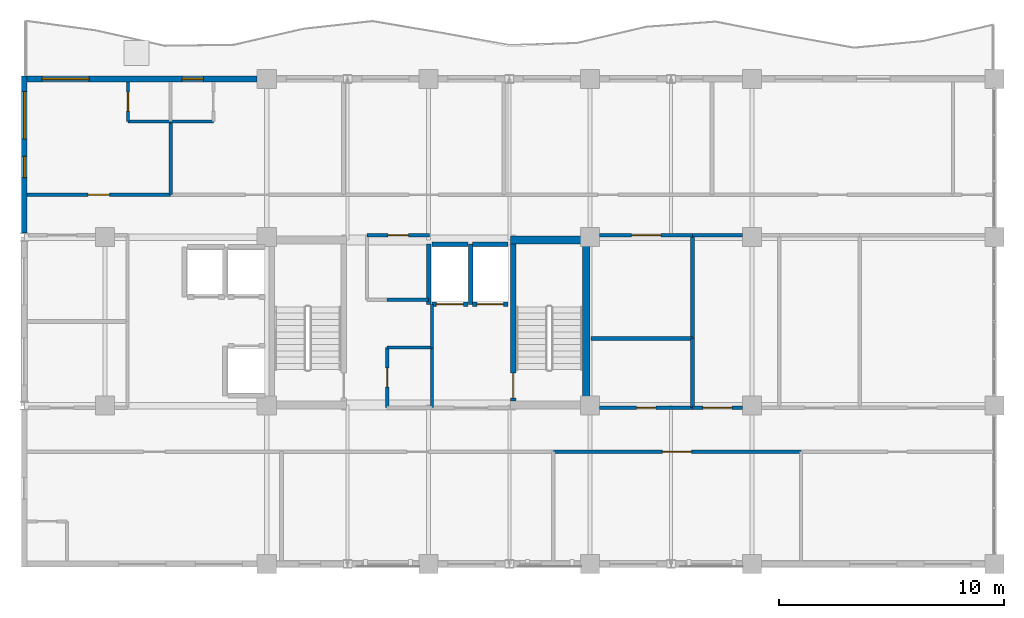
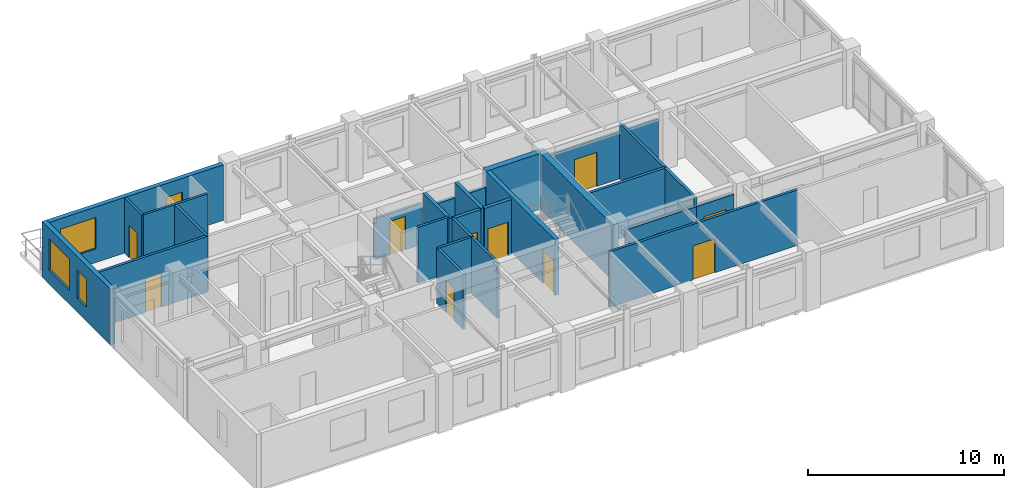
# One storey, part 7 of 11: 30 walls, 11 doors, 4 windows, 15 openings.
"""IFC4 building model written with IfcOpenShell, lengths in metres."""

import ifcopenshell
import ifcopenshell.guid

model = None  # the IFC model being written
_history = None  # IfcOwnerHistory: only IFC2X3 demands one
_inside = {}  # id of a spatial element -> (the spatial element, [elements in it])
_under = {}  # id of a project, library or spatial element -> (it, [spatial elements below it])
_declared = {}  # id of a project -> (the project, [libraries it declares])
_typed = {}  # id of a type object -> (the type object, [elements of that type])
_made_of = {}  # id of a material, layer set ... -> (it, [elements and type objects made of it])


def new_model(schema):
    """Start an empty IFC model of exactly this schema.

    Asked for "IFC4X3", IfcOpenShell would pick the latest addendum, in which some entities
    have other attributes; the version numbers below select the first issue.
    IFC2X3 requires an IfcOwnerHistory on every rooted entity: one is made here for all.
    """
    global model, _history
    if schema == "IFC4X3":
        model = ifcopenshell.file(schema_version=(4, 3, 0, 0))
    else:
        model = ifcopenshell.file(schema=schema)
    _inside.clear()
    _under.clear()
    _declared.clear()
    _typed.clear()
    _made_of.clear()
    _history = None
    if model.schema == "IFC2X3":
        org = make("IfcOrganization", Name="unknown")
        user = make(
            "IfcPersonAndOrganization",
            ThePerson=make("IfcPerson", FamilyName="unknown"),
            TheOrganization=org,
        )
        app = make(
            "IfcApplication",
            ApplicationDeveloper=org,
            Version="unknown",
            ApplicationFullName="unknown",
            ApplicationIdentifier="unknown",
        )
        _history = make(
            "IfcOwnerHistory",
            OwningUser=user,
            OwningApplication=app,
            ChangeAction="ADDED",
            CreationDate=0,
        )
    return model


def make(cls, **values):
    """One entity of the class cls with the attributes given. An attribute that is None is left unset."""
    return model.create_entity(
        cls, **{name: value for name, value in values.items() if value is not None}
    )


def rooted(cls, **values):
    """An entity with a GlobalId (a new one), such as an element, a storey or a relation."""
    return make(cls, GlobalId=ifcopenshell.guid.new(), OwnerHistory=_history, **values)


def si_unit(unit_type, name, prefix=None):
    """IfcSIUnit, for example si_unit("LENGTHUNIT", "METRE", prefix="MILLI")."""
    return make("IfcSIUnit", UnitType=unit_type, Prefix=prefix, Name=name)


def assignment(units):
    """IfcUnitAssignment: the units of a project."""
    return None if units is None else make("IfcUnitAssignment", Units=units)


def point(xyz):
    """IfcCartesianPoint."""
    return None if xyz is None else make("IfcCartesianPoint", Coordinates=xyz)


def direction(xyz):
    """IfcDirection."""
    return None if xyz is None else make("IfcDirection", DirectionRatios=xyz)


def frame(location, z_axis=None, x_axis=None):
    """IfcAxis2Placement3D, a coordinate frame: its origin and axes. An axis left out is left unset."""
    return make(
        "IfcAxis2Placement3D",
        Location=point(location),
        Axis=direction(z_axis),
        RefDirection=direction(x_axis),
    )


def frame_2d(location, x_axis=None):
    """IfcAxis2Placement2D, a coordinate frame in the plane: its origin and x axis."""
    return make(
        "IfcAxis2Placement2D", Location=point(location), RefDirection=direction(x_axis)
    )


def origin():
    """The frame at (0, 0, 0) with its axes left unset."""
    return frame((0.0, 0.0, 0.0))


def place(relative_to, where):
    """IfcLocalPlacement: puts the frame where relative to a parent placement (None: the world)."""
    return make(
        "IfcLocalPlacement", PlacementRelTo=relative_to, RelativePlacement=where
    )


def context(
    kind, dimensions, precision=None, world=None, true_north=None, identifier=None
):
    """IfcGeometricRepresentationContext, for example the 3D "Model" context."""
    return make(
        "IfcGeometricRepresentationContext",
        ContextIdentifier=identifier,
        ContextType=kind,
        CoordinateSpaceDimension=dimensions,
        Precision=precision,
        WorldCoordinateSystem=world,
        TrueNorth=true_north,
    )


def subcontext(parent, identifier, kind, view, scale=None):
    """IfcGeometricRepresentationSubContext, for example "Body" below "Model"."""
    return make(
        "IfcGeometricRepresentationSubContext",
        ContextIdentifier=identifier,
        ContextType=kind,
        ParentContext=parent,
        TargetScale=scale,
        TargetView=view,
    )


def project(units=None, contexts=None):
    """IfcProject with its units and contexts."""
    return rooted(
        "IfcProject",
        Name="project",
        RepresentationContexts=contexts,
        UnitsInContext=assignment(units),
    )


def spatial(cls, under=None, at=None, **own):
    """A site, building, storey or space (cls), placed at a placement, below another one or the project."""
    s = rooted(cls, ObjectPlacement=at, **own)
    if under is not None:
        _under.setdefault(under.id(), (under, []))[1].append(s)
    return s


def profile(cls, at=None, kind="AREA", **sizes):
    """A parametric profile (cls). Its sizes go by their IFC names, for example OverallWidth=200.0."""
    return make(cls, ProfileType=kind, Position=at, **sizes)


def rectangle(**sizes):
    """IfcRectangleProfileDef."""
    return profile("IfcRectangleProfileDef", **sizes)


def extrude(swept, where, along, depth):
    """IfcExtrudedAreaSolid: the profile swept, set in the frame where, extruded along a direction by depth."""
    return make(
        "IfcExtrudedAreaSolid",
        SweptArea=swept,
        Position=where,
        ExtrudedDirection=direction(along),
        Depth=depth,
    )


def shape(context_of_items, identifier, shape_type, items):
    """IfcShapeRepresentation: the items that make up one representation, for example the "Body"."""
    return make(
        "IfcShapeRepresentation",
        ContextOfItems=context_of_items,
        RepresentationIdentifier=identifier,
        RepresentationType=shape_type,
        Items=items,
    )


def material(Name=None, Category=None):
    """IfcMaterial."""
    return make("IfcMaterial", Name=Name, Category=Category)


def layer(
    of_material, thickness, ventilated=None, Name=None, Category=None, Priority=None
):
    """IfcMaterialLayer: one layer of a wall or slab, of a material (None: an air gap)."""
    return make(
        "IfcMaterialLayer",
        Material=of_material,
        LayerThickness=thickness,
        IsVentilated=ventilated,
        Name=Name,
        Category=Category,
        Priority=Priority,
    )


def layer_set(layers, Name=None):
    """IfcMaterialLayerSet."""
    return make("IfcMaterialLayerSet", MaterialLayers=layers, LayerSetName=Name)


def made_of(thing, what):
    """Note that an element or type object is made of a material, layer set ...; save() writes the relation."""
    if what is not None:
        _made_of.setdefault(what.id(), (what, []))[1].append(thing)
    return thing


def type_object(cls, material=None, **own):
    """A type object (cls), such as IfcWallType, which elements share."""
    return made_of(rooted(cls, **own), material)


def element(
    cls,
    number,
    at=None,
    inside=None,
    cuts=None,
    type_object=None,
    material=None,
    context=None,
    identifier="Body",
    shape_type=None,
    held_by="IfcProductDefinitionShape",
    body=None,
    shapes=None,
    **own,
):
    """One element of the class cls, such as IfcWall. Its Tag is "e" and its number.

    at: its placement. inside: the storey or other place that contains it. cuts: it is an
    opening in that element (IfcRelVoidsElement). A single representation is given by context,
    identifier, shape_type and body (its items); several are given by shapes. held_by: the class
    of the entity that holds the representations. save() writes the other relations.
    """
    e = rooted(cls, Tag="e%d" % number, ObjectPlacement=at, **own)
    if body is not None:
        shapes = [shape(context, identifier, shape_type, body)]
    if shapes is not None:
        e.Representation = make(held_by, Representations=shapes)
    if inside is not None:
        _inside.setdefault(inside.id(), (inside, []))[1].append(e)
    if cuts is not None:
        rooted(
            "IfcRelVoidsElement", RelatingBuildingElement=cuts, RelatedOpeningElement=e
        )
    if type_object is not None:
        _typed.setdefault(type_object.id(), (type_object, []))[1].append(e)
    return made_of(e, material)


def fill(opening, filler):
    """IfcRelFillsElement: the door or window that sits in an opening."""
    return rooted(
        "IfcRelFillsElement",
        RelatingOpeningElement=opening,
        RelatedBuildingElement=filler,
    )


def aggregate(whole, parts):
    """IfcRelAggregates: a whole, such as a stair, and the parts it consists of."""
    return rooted("IfcRelAggregates", RelatingObject=whole, RelatedObjects=parts)


def save(model, path):
    """Write the relations noted so far, then the file.

    IfcRelAggregates (storeys below a building ...), IfcRelContainedInSpatialStructure (elements
    in a storey), IfcRelDefinesByType, IfcRelAssociatesMaterial and IfcRelDeclares: one each for
    every whole, place, type object, material and project.
    """
    for whole, parts in _under.values():
        aggregate(whole, parts)
    for where, things in _inside.values():
        rooted(
            "IfcRelContainedInSpatialStructure",
            RelatedElements=things,
            RelatingStructure=where,
        )
    for kind, things in _typed.values():
        rooted("IfcRelDefinesByType", RelatedObjects=things, RelatingType=kind)
    for what, things in _made_of.values():
        rooted("IfcRelAssociatesMaterial", RelatedObjects=things, RelatingMaterial=what)
    for by, libraries in _declared.values():
        rooted("IfcRelDeclares", RelatingContext=by, RelatedDefinitions=libraries)
    model.write(path)


model = new_model("IFC4")

# Units and contexts
model_context = context("Model", 3, precision=1e-05, world=origin(), true_north=direction((0.0, 1.0)))
body_context = subcontext(model_context, "Body", "Model", "MODEL_VIEW")
ifc_project = project(units=[si_unit("LENGTHUNIT", "METRE"), si_unit("AREAUNIT", "SQUARE_METRE"), si_unit("VOLUMEUNIT", "CUBIC_METRE"), si_unit("PLANEANGLEUNIT", "RADIAN"), si_unit("MASSUNIT", "GRAM", prefix="KILO")], contexts=[model_context])

# Site, building, storey
site_placement = place(None, origin())
site = spatial("IfcSite", under=ifc_project, at=site_placement, CompositionType="ELEMENT")
building_placement = place(site_placement, origin())
building = spatial("IfcBuilding", under=site, at=building_placement, Name="Kaliganga Portal Commons", CompositionType="ELEMENT")
storey_placement = place(building_placement, frame((0.0, 0.0, 264.699951171875)))
storey = spatial("IfcBuildingStorey", under=building, at=storey_placement, Name="L68", CompositionType="ELEMENT", Elevation=264.699951171875)

# Walls
ifc_material_1 = material(Name="Concrete C50/60", Category="concrete")
ifc_layer_1 = layer(ifc_material_1, 0.35009765625)
ifc_layer_set_1 = layer_set([ifc_layer_1], Name="Concrete C50/60")
wall_type_1 = type_object("IfcWallType", Name="WL-CORE-350", PredefinedType="SHEAR", material=ifc_layer_set_1)
wall_1_placement = place(storey_placement, frame((28.625, 28.5, 0.0), z_axis=(0.0, 0.0, 1.0), x_axis=(0.0, 1.0, 0.0)))
element("IfcWall", 1, at=wall_1_placement, inside=storey, type_object=wall_type_1, Name="Core A East Shear Wall L68", PredefinedType="SHEAR", context=body_context, shape_type="SweptSolid", body=[
    extrude(rectangle(XDim=7.699951171875, YDim=0.35009765625, at=frame_2d((3.85009765625, 0.0))), origin(), (0.0, 0.0, 1.0), 3.47509765625),
])
wall_2_placement = place(storey_placement, frame((25.25, 36.02490234375, 0.0), z_axis=(0.0, 0.0, 1.0), x_axis=(1.0, 0.0, 0.0)))
element("IfcWall", 2, at=wall_2_placement, inside=storey, type_object=wall_type_1, Name="Core A N-East Shear Wall L68", PredefinedType="SHEAR", context=body_context, shape_type="SweptSolid", body=[
    extrude(rectangle(XDim=3.199951171875, YDim=0.35009765625, at=frame_2d((1.60009765625, 0.0))), origin(), (0.0, 0.0, 1.0), 3.47509765625),
])

# Wall, openings, windows
ifc_material_2 = material(Name="Insulated Aluminium-Clad Spandrel Assembly", Category="aluminium")
ifc_layer_2 = layer(ifc_material_2, 0.260009765625)
ifc_layer_set_2 = layer_set([ifc_layer_2], Name="Insulated Aluminium-Clad Spandrel Assembly")
wall_type_2 = type_object("IfcWallType", Name="WL-EXT-SPAND-260", PredefinedType="STANDARD", material=ifc_layer_set_2)
wall_3_placement = place(storey_placement, frame((3.735107421875, 43.199951171875, 0.0), z_axis=(0.0, 0.0, 1.0), x_axis=(1.0, 0.0, 0.0)))
wall_3 = element("IfcWall", 3, at=wall_3_placement, inside=storey, type_object=wall_type_2, Name="Exterior Envelope Wall L68 P1-E02-S8", PredefinedType="STANDARD", context=body_context, shape_type="SweptSolid", body=[
    extrude(rectangle(XDim=10.239013671875, YDim=0.260009765625, at=frame_2d((5.11962890625, 0.0))), origin(), (0.0, 0.0, 1.0), 3.455078125),
])
opening_1_placement = place(wall_3_placement, frame((0.656494140625, 0.0, 0.85009765625)))
opening_1 = element("IfcOpeningElement", 4, at=opening_1_placement, cuts=wall_3, Name="Opening W-06", PredefinedType="OPENING", context=body_context, shape_type="SweptSolid", body=[
    extrude(rectangle(XDim=2.10009765625, YDim=1.949951171875, at=frame_2d((1.050048828125, 0.97509765625))), frame((0.0, 0.14013671875, 0.0), z_axis=(0.0, -1.0, 0.0), x_axis=(1.0, 0.0, 0.0)), (0.0, 0.0, 1.0), 0.280029296875),
])
opening_2_placement = place(wall_3_placement, frame((6.897216796875, 0.0, 0.85009765625)))
opening_2 = element("IfcOpeningElement", 5, at=opening_2_placement, cuts=wall_3, Name="Opening W-04", PredefinedType="OPENING", context=body_context, shape_type="SweptSolid", body=[
    extrude(rectangle(XDim=0.949951171875, YDim=1.75, at=frame_2d((0.47509765625, 0.875))), frame((0.0, 0.14013671875, 0.0), z_axis=(0.0, -1.0, 0.0), x_axis=(1.0, 0.0, 0.0)), (0.0, 0.0, 1.0), 0.280029296875),
])
ifc_material_3 = material(Name="Thermally Broken Aluminium and Low-E Double Glazing", Category="aluminium")
window_type_1 = type_object("IfcWindowType", Name="WIN-NARROW-950", PartitioningType="SINGLE_PANEL", PredefinedType="WINDOW", material=ifc_material_3)
window_1_placement = place(opening_2_placement, origin())
window_1 = element("IfcWindow", 6, at=window_1_placement, inside=storey, type_object=window_type_1, Name="Facade Window L68-P1E02S8-N4", OverallHeight=1.75, OverallWidth=0.949951171875, PartitioningType="SINGLE_PANEL", PredefinedType="WINDOW", context=body_context, shape_type="SweptSolid", body=[
    extrude(rectangle(XDim=0.949951171875, YDim=1.75, at=frame_2d((0.47509765625, 0.875))), frame((0.0, 0.030029296875, 0.0), z_axis=(0.0, -1.0, 0.0), x_axis=(1.0, 0.0, 0.0)), (0.0, 0.0, 1.0), 0.06005859375),
])
fill(opening_2, window_1)
window_type_2 = type_object("IfcWindowType", Name="WIN-PAN-2100", PartitioningType="DOUBLE_PANEL_VERTICAL", PredefinedType="WINDOW", material=ifc_material_3)
window_2_placement = place(opening_1_placement, origin())
window_2 = element("IfcWindow", 7, at=window_2_placement, inside=storey, type_object=window_type_2, Name="Facade Window L68-P1E02S8-00", OverallHeight=1.949951171875, OverallWidth=2.10009765625, PartitioningType="SINGLE_PANEL", PredefinedType="WINDOW", context=body_context, shape_type="SweptSolid", body=[
    extrude(rectangle(XDim=2.10009765625, YDim=1.949951171875, at=frame_2d((1.050048828125, 0.97509765625))), frame((0.0, 0.030029296875, 0.0), z_axis=(0.0, -1.0, 0.0), x_axis=(1.0, 0.0, 0.0)), (0.0, 0.0, 1.0), 0.06005859375),
])
fill(opening_1, window_2)

wall_4_placement = place(storey_placement, frame((3.60009765625, 36.3369140625, 0.0), z_axis=(0.0, 0.0, 1.0), x_axis=(0.0, 1.0, 0.0)))
wall_4 = element("IfcWall", 8, at=wall_4_placement, inside=storey, type_object=wall_type_2, Name="Exterior Envelope Wall L68 P1-E03-S1", PredefinedType="STANDARD", context=body_context, shape_type="SweptSolid", body=[
    extrude(rectangle(XDim=6.9931640625, YDim=0.260009765625, at=frame_2d((3.49658203125, 0.0))), origin(), (0.0, 0.0, 1.0), 3.455078125),
])
opening_3_placement = place(wall_4_placement, frame((4.194580078125, 0.0, 0.85009765625)))
opening_3 = element("IfcOpeningElement", 9, at=opening_3_placement, cuts=wall_4, Name="Opening W-06", PredefinedType="OPENING", context=body_context, shape_type="SweptSolid", body=[
    extrude(rectangle(XDim=2.10009765625, YDim=1.949951171875, at=frame_2d((1.050048828125, 0.97509765625))), frame((0.0, 0.14013671875, 0.0), z_axis=(0.0, -1.0, 0.0), x_axis=(1.0, 0.0, 0.0)), (0.0, 0.0, 1.0), 0.280029296875),
])
opening_4_placement = place(wall_4_placement, frame((2.462158203125, 0.0, 0.85009765625)))
opening_4 = element("IfcOpeningElement", 10, at=opening_4_placement, cuts=wall_4, Name="Opening W-04", PredefinedType="OPENING", context=body_context, shape_type="SweptSolid", body=[
    extrude(rectangle(XDim=0.949951171875, YDim=1.75, at=frame_2d((0.47509765625, 0.875))), frame((0.0, 0.14013671875, 0.0), z_axis=(0.0, -1.0, 0.0), x_axis=(1.0, 0.0, 0.0)), (0.0, 0.0, 1.0), 0.280029296875),
])
window_3_placement = place(opening_4_placement, origin())
window_3 = element("IfcWindow", 11, at=window_3_placement, inside=storey, type_object=window_type_1, Name="Facade Window L68-P1E03S1-N5", OverallHeight=1.75, OverallWidth=0.949951171875, PartitioningType="SINGLE_PANEL", PredefinedType="WINDOW", context=body_context, shape_type="SweptSolid", body=[
    extrude(rectangle(XDim=0.949951171875, YDim=1.75, at=frame_2d((0.47509765625, 0.875))), frame((0.0, 0.030029296875, 0.0), z_axis=(0.0, -1.0, 0.0), x_axis=(1.0, 0.0, 0.0)), (0.0, 0.0, 1.0), 0.06005859375),
])
fill(opening_4, window_3)
window_4_placement = place(opening_3_placement, origin())
window_4 = element("IfcWindow", 12, at=window_4_placement, inside=storey, type_object=window_type_2, Name="Facade Window L68-P1E03S1-01", OverallHeight=1.949951171875, OverallWidth=2.10009765625, PartitioningType="SINGLE_PANEL", PredefinedType="WINDOW", context=body_context, shape_type="SweptSolid", body=[
    extrude(rectangle(XDim=2.10009765625, YDim=1.949951171875, at=frame_2d((1.050048828125, 0.97509765625))), frame((0.0, 0.030029296875, 0.0), z_axis=(0.0, -1.0, 0.0), x_axis=(1.0, 0.0, 0.0)), (0.0, 0.0, 1.0), 0.06005859375),
])
fill(opening_3, window_4)

# Wall, opening, door
ifc_material_4 = material(Name="Fire-Rated Gypsum Board on Steel Stud", Category="steel")
ifc_layer_3 = layer(ifc_material_4, 0.14990234375)
ifc_layer_set_3 = layer_set([ifc_layer_3], Name="Fire-Rated Gypsum Board on Steel Stud")
wall_type_3 = type_object("IfcWallType", Name="WL-PART-CORR-150", PredefinedType="PARTITIONING", material=ifc_layer_set_3)
wall_5_placement = place(storey_placement, frame((27.159912109375, 26.60009765625, 0.0), z_axis=(0.0, 0.0, 1.0), x_axis=(1.0, 0.0, 0.0)))
wall_5 = element("IfcWall", 13, at=wall_5_placement, inside=storey, type_object=wall_type_3, Name="Interior Partition L68-010", PredefinedType="PARTITIONING", context=body_context, shape_type="SweptSolid", body=[
    extrude(rectangle(XDim=11.02001953125, YDim=0.14990234375, at=frame_2d((5.510009765625, 0.0))), origin(), (0.0, 0.0, 1.0), 3.455078125),
])
opening_5_placement = place(wall_5_placement, frame((4.860107421875, 0.0, 0.0)))
opening_5 = element("IfcOpeningElement", 14, at=opening_5_placement, cuts=wall_5, Name="Opening RD-03", PredefinedType="OPENING", context=body_context, shape_type="SweptSolid", body=[
    extrude(rectangle(XDim=1.300048828125, YDim=2.1201171875, at=frame_2d((0.64990234375, 1.06005859375))), frame((0.0, 0.0849609375, 0.0), z_axis=(0.0, -1.0, 0.0), x_axis=(1.0, 0.0, 0.0)), (0.0, 0.0, 1.0), 0.169921875),
])
ifc_material_5 = material(Name="Glazed Timber Seminar Vision Door", Category="wood")
door_type_1 = type_object("IfcDoorType", Name="DR-STUDY-1300", OperationType="DOUBLE_DOOR_SINGLE_SWING", PredefinedType="DOOR", material=ifc_material_5)
door_1_placement = place(opening_5_placement, origin())
door_1 = element("IfcDoor", 15, at=door_1_placement, inside=storey, type_object=door_type_1, Name="Interior Door L68-AS03", OperationType="DOUBLE_DOOR_SINGLE_SWING", OverallHeight=2.1201171875, OverallWidth=1.300048828125, PredefinedType="DOOR", context=body_context, shape_type="SweptSolid", body=[
    extrude(rectangle(XDim=1.300048828125, YDim=2.1201171875, at=frame_2d((0.64990234375, 1.06005859375))), frame((0.0, 0.02490234375, 0.0), z_axis=(0.0, -1.0, 0.0), x_axis=(1.0, 0.0, 0.0)), (0.0, 0.0, 1.0), 0.050048828125),
])
fill(opening_5, door_1)

wall_6_placement = place(storey_placement, frame((3.73193359375, 38.0400390625, 0.0), z_axis=(0.0, 0.0, 1.0), x_axis=(1.0, 0.0, 0.0)))
wall_6 = element("IfcWall", 16, at=wall_6_placement, inside=storey, type_object=wall_type_3, Name="Interior Partition L68-016", PredefinedType="PARTITIONING", context=body_context, shape_type="SweptSolid", body=[
    extrude(rectangle(XDim=6.38818359375, YDim=0.14990234375, at=frame_2d((3.194091796875, 0.0))), origin(), (0.0, 0.0, 1.0), 3.455078125),
])
opening_6_placement = place(wall_6_placement, frame((2.718994140625, 0.0, 0.0)))
opening_6 = element("IfcOpeningElement", 17, at=opening_6_placement, cuts=wall_6, Name="Opening UD-01", PredefinedType="OPENING", context=body_context, shape_type="SweptSolid", body=[
    extrude(rectangle(XDim=0.949951171875, YDim=2.10009765625, at=frame_2d((0.47509765625, 1.050048828125))), frame((0.0, 0.0849609375, 0.0), z_axis=(0.0, -1.0, 0.0), x_axis=(1.0, 0.0, 0.0)), (0.0, 0.0, 1.0), 0.169921875),
])
ifc_material_6 = material(Name="Solid-Core Timber Acoustic Fire Door", Category="wood")
door_type_2 = type_object("IfcDoorType", Name="DR-UNIT-950", OperationType="NOTDEFINED", PredefinedType="DOOR", material=ifc_material_6)
door_2_placement = place(opening_6_placement, origin())
door_2 = element("IfcDoor", 18, at=door_2_placement, inside=storey, type_object=door_type_2, Name="Interior Door L68-AN01", OperationType="SINGLE_SWING_RIGHT", OverallHeight=2.10009765625, OverallWidth=0.949951171875, PredefinedType="DOOR", context=body_context, shape_type="SweptSolid", body=[
    extrude(rectangle(XDim=0.949951171875, YDim=2.10009765625, at=frame_2d((0.47509765625, 1.050048828125))), frame((0.0, 0.02490234375, 0.0), z_axis=(0.0, -1.0, 0.0), x_axis=(1.0, 0.0, 0.0)), (0.0, 0.0, 1.0), 0.050048828125),
])
fill(opening_6, door_2)

wall_7_placement = place(storey_placement, frame((29.22509765625, 28.56005859375, 0.0), z_axis=(0.0, 0.0, 1.0), x_axis=(1.0, 0.0, 0.0)))
wall_7 = element("IfcWall", 19, at=wall_7_placement, inside=storey, type_object=wall_type_3, Name="Interior Partition L68-023", PredefinedType="PARTITIONING", context=body_context, shape_type="SweptSolid", body=[
    extrude(rectangle(XDim=4.135009765625, YDim=0.14990234375, at=frame_2d((2.0673828125, 0.0))), origin(), (0.0, 0.0, 1.0), 2.905029296875),
])
opening_7_placement = place(wall_7_placement, frame((1.637451171875, 0.0, 0.0)))
opening_7 = element("IfcOpeningElement", 20, at=opening_7_placement, cuts=wall_7, Name="Opening WD-02", PredefinedType="OPENING", context=body_context, shape_type="SweptSolid", body=[
    extrude(rectangle(XDim=0.860107421875, YDim=2.02001953125, at=frame_2d((0.43017578125, 1.010009765625))), frame((0.0, 0.0849609375, 0.0), z_axis=(0.0, -1.0, 0.0), x_axis=(1.0, 0.0, 0.0)), (0.0, 0.0, 1.0), 0.169921875),
])
ifc_material_7 = material(Name="Fire-Rated Utility Closet Door", Category="wood")
door_type_3 = type_object("IfcDoorType", Name="DR-STORE-800", OperationType="NOTDEFINED", PredefinedType="DOOR", material=ifc_material_7)
door_3_placement = place(opening_7_placement, origin())
door_3 = element("IfcDoor", 21, at=door_3_placement, inside=storey, type_object=door_type_3, Name="Interior Door L68-CSRV_A1", OperationType="SINGLE_SWING_RIGHT", OverallHeight=2.02001953125, OverallWidth=0.860107421875, PredefinedType="DOOR", context=body_context, shape_type="SweptSolid", body=[
    extrude(rectangle(XDim=0.860107421875, YDim=2.02001953125, at=frame_2d((0.43017578125, 1.010009765625))), frame((0.0, 0.02490234375, 0.0), z_axis=(0.0, -1.0, 0.0), x_axis=(1.0, 0.0, 0.0)), (0.0, 0.0, 1.0), 0.050048828125),
])
fill(opening_7, door_3)

wall_8_placement = place(storey_placement, frame((29.22509765625, 36.239990234375, 0.0), z_axis=(0.0, 0.0, 1.0), x_axis=(1.0, 0.0, 0.0)))
wall_8 = element("IfcWall", 22, at=wall_8_placement, inside=storey, type_object=wall_type_3, Name="Interior Partition L68-024", PredefinedType="PARTITIONING", context=body_context, shape_type="SweptSolid", body=[
    extrude(rectangle(XDim=4.135009765625, YDim=0.14990234375, at=frame_2d((2.0673828125, 0.0))), origin(), (0.0, 0.0, 1.0), 2.905029296875),
])
opening_8_placement = place(wall_8_placement, frame((1.41748046875, 0.0, 0.0)))
opening_8 = element("IfcOpeningElement", 23, at=opening_8_placement, cuts=wall_8, Name="Opening RD-03", PredefinedType="OPENING", context=body_context, shape_type="SweptSolid", body=[
    extrude(rectangle(XDim=1.300048828125, YDim=2.1201171875, at=frame_2d((0.64990234375, 1.06005859375))), frame((0.0, 0.0849609375, 0.0), z_axis=(0.0, -1.0, 0.0), x_axis=(1.0, 0.0, 0.0)), (0.0, 0.0, 1.0), 0.169921875),
])
door_4_placement = place(opening_8_placement, origin())
door_4 = element("IfcDoor", 24, at=door_4_placement, inside=storey, type_object=door_type_1, Name="Interior Door L68-CSRV_A2", OperationType="DOUBLE_DOOR_SINGLE_SWING", OverallHeight=2.1201171875, OverallWidth=1.300048828125, PredefinedType="DOOR", context=body_context, shape_type="SweptSolid", body=[
    extrude(rectangle(XDim=1.300048828125, YDim=2.1201171875, at=frame_2d((0.64990234375, 1.06005859375))), frame((0.0, 0.02490234375, 0.0), z_axis=(0.0, -1.0, 0.0), x_axis=(1.0, 0.0, 0.0)), (0.0, 0.0, 1.0), 0.050048828125),
])
fill(opening_8, door_4)

wall_9_placement = place(storey_placement, frame((33.360107421875, 28.56005859375, 0.0), z_axis=(0.0, 0.0, 1.0), x_axis=(1.0, 0.0, 0.0)))
wall_9 = element("IfcWall", 25, at=wall_9_placement, inside=storey, type_object=wall_type_3, Name="Interior Partition L68-025", PredefinedType="PARTITIONING", context=body_context, shape_type="SweptSolid", body=[
    extrude(rectangle(XDim=2.21484375, YDim=0.14990234375, at=frame_2d((1.107421875, 0.0))), origin(), (0.0, 0.0, 1.0), 2.905029296875),
])
opening_9_placement = place(wall_9_placement, frame((0.45751953125, 0.0, 0.0)))
opening_9 = element("IfcOpeningElement", 26, at=opening_9_placement, cuts=wall_9, Name="Opening RD-03", PredefinedType="OPENING", context=body_context, shape_type="SweptSolid", body=[
    extrude(rectangle(XDim=1.300048828125, YDim=2.1201171875, at=frame_2d((0.64990234375, 1.06005859375))), frame((0.0, 0.0849609375, 0.0), z_axis=(0.0, -1.0, 0.0), x_axis=(1.0, 0.0, 0.0)), (0.0, 0.0, 1.0), 0.169921875),
])
door_5_placement = place(opening_9_placement, origin())
door_5 = element("IfcDoor", 27, at=door_5_placement, inside=storey, type_object=door_type_1, Name="Interior Door L68-AE01", OperationType="DOUBLE_DOOR_SINGLE_SWING", OverallHeight=2.1201171875, OverallWidth=1.300048828125, PredefinedType="DOOR", context=body_context, shape_type="SweptSolid", body=[
    extrude(rectangle(XDim=1.300048828125, YDim=2.1201171875, at=frame_2d((0.64990234375, 1.06005859375))), frame((0.0, 0.02490234375, 0.0), z_axis=(0.0, -1.0, 0.0), x_axis=(1.0, 0.0, 0.0)), (0.0, 0.0, 1.0), 0.050048828125),
])
fill(opening_9, door_5)

# Wall
wall_10_placement = place(storey_placement, frame((33.360107421875, 36.239990234375, 0.0), z_axis=(0.0, 0.0, 1.0), x_axis=(1.0, 0.0, 0.0)))
element("IfcWall", 28, at=wall_10_placement, inside=storey, type_object=wall_type_3, Name="Interior Partition L68-027", PredefinedType="PARTITIONING", context=body_context, shape_type="SweptSolid", body=[
    extrude(rectangle(XDim=2.21484375, YDim=0.14990234375, at=frame_2d((1.107421875, 0.0))), origin(), (0.0, 0.0, 1.0), 2.905029296875),
])

# Wall, opening, door
wall_11_placement = place(storey_placement, frame((18.860107421875, 36.239990234375, 0.0), z_axis=(0.0, 0.0, 1.0), x_axis=(1.0, 0.0, 0.0)))
wall_11 = element("IfcWall", 29, at=wall_11_placement, inside=storey, type_object=wall_type_3, Name="Interior Partition L68-034", PredefinedType="PARTITIONING", context=body_context, shape_type="SweptSolid", body=[
    extrude(rectangle(XDim=2.77978515625, YDim=0.14990234375, at=frame_2d((1.389892578125, 0.0))), origin(), (0.0, 0.0, 1.0), 2.554931640625),
])
opening_10_placement = place(wall_11_placement, frame((0.93994140625, 0.0, 0.0)))
opening_10 = element("IfcOpeningElement", 30, at=opening_10_placement, cuts=wall_11, Name="Opening RD-01", PredefinedType="OPENING", context=body_context, shape_type="SweptSolid", body=[
    extrude(rectangle(XDim=0.89990234375, YDim=2.080078125, at=frame_2d((0.449951171875, 1.0400390625))), frame((0.0, 0.0849609375, 0.0), z_axis=(0.0, -1.0, 0.0), x_axis=(1.0, 0.0, 0.0)), (0.0, 0.0, 1.0), 0.169921875),
])
ifc_material_8 = material(Name="Engineered Timber Flush Door", Category="wood")
door_type_4 = type_object("IfcDoorType", Name="DR-ROOM-900", OperationType="NOTDEFINED", PredefinedType="DOOR", material=ifc_material_8)
door_6_placement = place(opening_10_placement, origin())
door_6 = element("IfcDoor", 31, at=door_6_placement, inside=storey, type_object=door_type_4, Name="Interior Door L68-CREC_A1", OperationType="SINGLE_SWING_RIGHT", OverallHeight=2.080078125, OverallWidth=0.89990234375, PredefinedType="DOOR", context=body_context, shape_type="SweptSolid", body=[
    extrude(rectangle(XDim=0.89990234375, YDim=2.080078125, at=frame_2d((0.449951171875, 1.0400390625))), frame((0.0, 0.02490234375, 0.0), z_axis=(0.0, -1.0, 0.0), x_axis=(1.0, 0.0, 0.0)), (0.0, 0.0, 1.0), 0.050048828125),
])
fill(opening_10, door_6)

wall_12_placement = place(storey_placement, frame((19.760009765625, 28.56005859375, 0.0), z_axis=(0.0, 0.0, 1.0), x_axis=(0.0, 1.0, 0.0)))
wall_12 = element("IfcWall", 32, at=wall_12_placement, inside=storey, type_object=wall_type_3, Name="Interior Partition L68-035", PredefinedType="PARTITIONING", context=body_context, shape_type="SweptSolid", body=[
    extrude(rectangle(XDim=2.679931640625, YDim=0.14990234375, at=frame_2d((1.33984375, 0.0))), origin(), (0.0, 0.0, 1.0), 3.455078125),
])
opening_11_placement = place(wall_12_placement, frame((0.909912109375, 0.0, 0.0)))
opening_11 = element("IfcOpeningElement", 33, at=opening_11_placement, cuts=wall_12, Name="Opening WD-02", PredefinedType="OPENING", context=body_context, shape_type="SweptSolid", body=[
    extrude(rectangle(XDim=0.860107421875, YDim=2.02001953125, at=frame_2d((0.43017578125, 1.010009765625))), frame((0.0, 0.0849609375, 0.0), z_axis=(0.0, -1.0, 0.0), x_axis=(1.0, 0.0, 0.0)), (0.0, 0.0, 1.0), 0.169921875),
])
door_7_placement = place(opening_11_placement, origin())
door_7 = element("IfcDoor", 34, at=door_7_placement, inside=storey, type_object=door_type_3, Name="Interior Door L68-CIN_A1", OperationType="SINGLE_SWING_LEFT", OverallHeight=2.02001953125, OverallWidth=0.860107421875, PredefinedType="DOOR", context=body_context, shape_type="SweptSolid", body=[
    extrude(rectangle(XDim=0.860107421875, YDim=2.02001953125, at=frame_2d((0.43017578125, 1.010009765625))), frame((0.0, 0.02490234375, 0.0), z_axis=(0.0, -1.0, 0.0), x_axis=(1.0, 0.0, 0.0)), (0.0, 0.0, 1.0), 0.050048828125),
])
fill(opening_11, door_7)

# Walls
wall_13_placement = place(storey_placement, frame((21.760009765625, 28.56005859375, 0.0), z_axis=(0.0, 0.0, 1.0), x_axis=(0.0, 1.0, 0.0)))
element("IfcWall", 35, at=wall_13_placement, inside=storey, type_object=wall_type_3, Name="Interior Partition L68-036", PredefinedType="PARTITIONING", context=body_context, shape_type="SweptSolid", body=[
    extrude(rectangle(XDim=2.679931640625, YDim=0.14990234375, at=frame_2d((1.33984375, 0.0))), origin(), (0.0, 0.0, 1.0), 3.455078125),
])
wall_14_placement = place(storey_placement, frame((19.760009765625, 31.239990234375, 0.0), z_axis=(0.0, 0.0, 1.0), x_axis=(1.0, 0.0, 0.0)))
element("IfcWall", 36, at=wall_14_placement, inside=storey, type_object=wall_type_3, Name="Interior Partition L68-038", PredefinedType="PARTITIONING", context=body_context, shape_type="SweptSolid", body=[
    extrude(rectangle(XDim=2.0, YDim=0.14990234375, at=frame_2d((1.0, 0.0))), origin(), (0.0, 0.0, 1.0), 3.455078125),
])
wall_15_placement = place(storey_placement, frame((19.760009765625, 33.360107421875, 0.0), z_axis=(0.0, 0.0, 1.0), x_axis=(1.0, 0.0, 0.0)))
element("IfcWall", 37, at=wall_15_placement, inside=storey, type_object=wall_type_3, Name="Interior Partition L68-039", PredefinedType="PARTITIONING", context=body_context, shape_type="SweptSolid", body=[
    extrude(rectangle(XDim=1.85009765625, YDim=0.14990234375, at=frame_2d((0.925048828125, 0.0))), origin(), (0.0, 0.0, 1.0), 3.455078125),
])
wall_16_placement = place(storey_placement, frame((21.760009765625, 31.239990234375, 0.0), z_axis=(0.0, 0.0, 1.0), x_axis=(0.0, 1.0, 0.0)))
element("IfcWall", 38, at=wall_16_placement, inside=storey, type_object=wall_type_3, Name="Interior Partition L68-057", PredefinedType="PARTITIONING", context=body_context, shape_type="SweptSolid", body=[
    extrude(rectangle(XDim=1.919921875, YDim=0.14990234375, at=frame_2d((0.9599609375, 0.0))), origin(), (0.0, 0.0, 1.0), 3.455078125),
])
ifc_material_9 = material(Name="Twin-Stud Acoustic Gypsum Partition", Category="gypsum")
ifc_layer_4 = layer(ifc_material_9, 0.1650390625)
ifc_layer_set_4 = layer_set([ifc_layer_4], Name="Twin-Stud Acoustic Gypsum Partition")
wall_type_4 = type_object("IfcWallType", Name="WL-PART-UNIT-165", PredefinedType="PARTITIONING", material=ifc_layer_set_4)
wall_17_placement = place(storey_placement, frame((33.360107421875, 31.639892578125, 0.0), z_axis=(0.0, 0.0, 1.0), x_axis=(0.0, 1.0, 0.0)))
element("IfcWall", 39, at=wall_17_placement, inside=storey, type_object=wall_type_4, Name="Interior Partition L68-051", PredefinedType="PARTITIONING", context=body_context, shape_type="SweptSolid", body=[
    extrude(rectangle(XDim=4.60009765625, YDim=0.1650390625, at=frame_2d((2.300048828125, 0.0))), origin(), (0.0, 0.0, 1.0), 3.455078125),
])
wall_18_placement = place(storey_placement, frame((28.840087890625, 31.639892578125, 0.0), z_axis=(0.0, 0.0, 1.0), x_axis=(1.0, 0.0, 0.0)))
element("IfcWall", 40, at=wall_18_placement, inside=storey, type_object=wall_type_4, Name="Interior Partition L68-053", PredefinedType="PARTITIONING", context=body_context, shape_type="SweptSolid", body=[
    extrude(rectangle(XDim=4.52001953125, YDim=0.1650390625, at=frame_2d((2.260009765625, 0.0))), origin(), (0.0, 0.0, 1.0), 3.455078125),
])
wall_19_placement = place(storey_placement, frame((10.1201171875, 38.0400390625, 0.0), z_axis=(0.0, 0.0, 1.0), x_axis=(0.0, 1.0, 0.0)))
element("IfcWall", 41, at=wall_19_placement, inside=storey, type_object=wall_type_4, Name="Interior Partition L68-055", PredefinedType="PARTITIONING", context=body_context, shape_type="SweptSolid", body=[
    extrude(rectangle(XDim=3.260009765625, YDim=0.1650390625, at=frame_2d((1.6298828125, 0.0))), origin(), (0.0, 0.0, 1.0), 3.455078125),
])
wall_20_placement = place(storey_placement, frame((33.360107421875, 28.56005859375, 0.0), z_axis=(0.0, 0.0, 1.0), x_axis=(0.0, 1.0, 0.0)))
element("IfcWall", 42, at=wall_20_placement, inside=storey, type_object=wall_type_4, Name="Interior Partition L68-056", PredefinedType="PARTITIONING", context=body_context, shape_type="SweptSolid", body=[
    extrude(rectangle(XDim=3.079833984375, YDim=0.1650390625, at=frame_2d((1.5400390625, 0.0))), origin(), (0.0, 0.0, 1.0), 3.455078125),
])

# Wall, opening, door
ifc_material_10 = material(Name="Cement-Board Wet-Room Partition", Category="gypsum")
ifc_layer_5 = layer(ifc_material_10, 0.135009765625)
ifc_layer_set_5 = layer_set([ifc_layer_5], Name="Cement-Board Wet-Room Partition")
wall_type_5 = type_object("IfcWallType", Name="WL-PART-WET-135", PredefinedType="PARTITIONING", material=ifc_layer_set_5)
wall_21_placement = place(storey_placement, frame((8.219970703125, 41.300048828125, 0.0), z_axis=(0.0, 0.0, 1.0), x_axis=(0.0, 1.0, 0.0)))
wall_21 = element("IfcWall", 43, at=wall_21_placement, inside=storey, type_object=wall_type_5, Name="Interior Partition L68-001", PredefinedType="PARTITIONING", context=body_context, shape_type="SweptSolid", body=[
    extrude(rectangle(XDim=1.76806640625, YDim=0.135009765625, at=frame_2d((0.884033203125, 0.0))), origin(), (0.0, 0.0, 1.0), 3.455078125),
])
opening_12_placement = place(wall_21_placement, frame((0.458984375, 0.0, 0.0)))
opening_12 = element("IfcOpeningElement", 44, at=opening_12_placement, cuts=wall_21, Name="Opening WD-01", PredefinedType="OPENING", context=body_context, shape_type="SweptSolid", body=[
    extrude(rectangle(XDim=0.85009765625, YDim=2.0400390625, at=frame_2d((0.425048828125, 1.02001953125))), frame((0.0, 0.07763671875, 0.0), z_axis=(0.0, -1.0, 0.0), x_axis=(1.0, 0.0, 0.0)), (0.0, 0.0, 1.0), 0.155029296875),
])
ifc_material_11 = material(Name="Moisture-Resistant Laminate Timber Door", Category="wood")
door_type_5 = type_object("IfcDoorType", Name="DR-WET-850", OperationType="NOTDEFINED", PredefinedType="DOOR", material=ifc_material_11)
door_8_placement = place(opening_12_placement, origin())
door_8 = element("IfcDoor", 45, at=door_8_placement, inside=storey, type_object=door_type_5, Name="Interior Door L68-AN01E", OperationType="SINGLE_SWING_LEFT", OverallHeight=2.0400390625, OverallWidth=0.85009765625, PredefinedType="DOOR", context=body_context, shape_type="SweptSolid", body=[
    extrude(rectangle(XDim=0.85009765625, YDim=2.0400390625, at=frame_2d((0.425048828125, 1.02001953125))), frame((0.0, 0.02490234375, 0.0), z_axis=(0.0, -1.0, 0.0), x_axis=(1.0, 0.0, 0.0)), (0.0, 0.0, 1.0), 0.050048828125),
])
fill(opening_12, door_8)

# Walls
wall_22_placement = place(storey_placement, frame((10.1201171875, 41.300048828125, 0.0), z_axis=(0.0, 0.0, 1.0), x_axis=(1.0, 0.0, 0.0)))
element("IfcWall", 46, at=wall_22_placement, inside=storey, type_object=wall_type_5, Name="Interior Partition L68-004", PredefinedType="PARTITIONING", context=body_context, shape_type="SweptSolid", body=[
    extrude(rectangle(XDim=1.89990234375, YDim=0.135009765625, at=frame_2d((0.949951171875, 0.0))), origin(), (0.0, 0.0, 1.0), 3.455078125),
])
wall_23_placement = place(storey_placement, frame((8.219970703125, 41.300048828125, 0.0), z_axis=(0.0, 0.0, 1.0), x_axis=(1.0, 0.0, 0.0)))
element("IfcWall", 47, at=wall_23_placement, inside=storey, type_object=wall_type_5, Name="Interior Partition L68-006", PredefinedType="PARTITIONING", context=body_context, shape_type="SweptSolid", body=[
    extrude(rectangle(XDim=1.900146484375, YDim=0.135009765625, at=frame_2d((0.9501953125, 0.0))), origin(), (0.0, 0.0, 1.0), 3.455078125),
])

# Wall, opening, door
ifc_material_12 = material(Name="Fire-Rated Shaftwall Masonry Assembly", Category="masonry")
ifc_layer_6 = layer(ifc_material_12, 0.199951171875)
ifc_layer_set_6 = layer_set([ifc_layer_6], Name="Fire-Rated Shaftwall Masonry Assembly")
wall_type_6 = type_object("IfcWallType", Name="WL-SHAFT-200", PredefinedType="PARTITIONING", material=ifc_layer_set_6)
wall_24_placement = place(storey_placement, frame((21.75, 33.159912109375, 0.0), z_axis=(0.0, 0.0, 1.0), x_axis=(1.0, 0.0, 0.0)))
wall_24 = element("IfcWall", 48, at=wall_24_placement, inside=storey, type_object=wall_type_6, Name="Lift FFL-1 Hoistway Shaft Wall L68-S", PredefinedType="PARTITIONING", context=body_context, shape_type="SweptSolid", body=[
    extrude(rectangle(XDim=1.60009765625, YDim=0.199951171875, at=frame_2d((0.800048828125, 0.0))), origin(), (0.0, 0.0, 1.0), 3.455078125),
])
opening_13_placement = place(wall_24_placement, frame((0.199951171875, 0.0, 0.0)))
opening_13 = element("IfcOpeningElement", 49, at=opening_13_placement, cuts=wall_24, Name="Opening LD-02", PredefinedType="OPENING", context=body_context, shape_type="SweptSolid", body=[
    extrude(rectangle(XDim=1.199951171875, YDim=2.1201171875, at=frame_2d((0.60009765625, 1.06005859375))), frame((0.0, 0.10986328125, 0.0), z_axis=(0.0, -1.0, 0.0), x_axis=(1.0, 0.0, 0.0)), (0.0, 0.0, 1.0), 0.219970703125),
])
ifc_material_13 = material(Name="Brushed Stainless Steel 316 Stretcher Lift Landing Door", Category="steel")
door_type_6 = type_object("IfcDoorType", Name="DR-LIFT-1200", OperationType="SLIDING_TO_RIGHT", PredefinedType="DOOR", material=ifc_material_13)
door_9_placement = place(opening_13_placement, origin())
door_9 = element("IfcDoor", 50, at=door_9_placement, inside=storey, type_object=door_type_6, Name="Lift FFL-1 Sliding Landing Door L68", OperationType="SLIDING_TO_RIGHT", OverallHeight=2.1201171875, OverallWidth=1.199951171875, PredefinedType="DOOR", context=body_context, shape_type="SweptSolid", body=[
    extrude(rectangle(XDim=1.199951171875, YDim=2.1201171875, at=frame_2d((0.60009765625, 1.06005859375))), frame((0.0, 0.02490234375, 0.0), z_axis=(0.0, -1.0, 0.0), x_axis=(1.0, 0.0, 0.0)), (0.0, 0.0, 1.0), 0.050048828125),
])
fill(opening_13, door_9)

# Walls
wall_25_placement = place(storey_placement, frame((21.75, 35.840087890625, 0.0), z_axis=(0.0, 0.0, 1.0), x_axis=(1.0, 0.0, 0.0)))
element("IfcWall", 51, at=wall_25_placement, inside=storey, type_object=wall_type_6, Name="Lift FFL-1 Hoistway Shaft Wall L68-N", PredefinedType="PARTITIONING", context=body_context, shape_type="SweptSolid", body=[
    extrude(rectangle(XDim=1.60009765625, YDim=0.199951171875, at=frame_2d((0.800048828125, 0.0))), origin(), (0.0, 0.0, 1.0), 2.554931640625),
])
for number, where, z_axis, x_axis, name in (
    (52, (21.610107421875, 33.159912109375, 0.0), (0.0, 0.0, 1.0), (0.0, 1.0, 0.0), "Lift FFL-1 Hoistway Shaft Wall L68-W"),
    (53, (23.489990234375, 33.159912109375, 0.0), (0.0, 0.0, 1.0), (0.0, 1.0, 0.0), "Lift FFL-1 Hoistway Shaft Wall L68-E"),
):
    element("IfcWall", number, at=place(storey_placement, frame(where, z_axis=z_axis, x_axis=x_axis)), inside=storey, type_object=wall_type_6, Name=name, PredefinedType="PARTITIONING", context=body_context, shape_type="SweptSolid", body=[
        extrude(rectangle(XDim=2.68017578125, YDim=0.199951171875, at=frame_2d((1.340087890625, 0.0))), origin(), (0.0, 0.0, 1.0), 3.455078125),
    ])

# Wall, opening, door
wall_26_placement = place(storey_placement, frame((23.550048828125, 33.159912109375, 0.0), z_axis=(0.0, 0.0, 1.0), x_axis=(1.0, 0.0, 0.0)))
wall_26 = element("IfcWall", 54, at=wall_26_placement, inside=storey, type_object=wall_type_6, Name="Lift FFL-2 Hoistway Shaft Wall L68-S", PredefinedType="PARTITIONING", context=body_context, shape_type="SweptSolid", body=[
    extrude(rectangle(XDim=1.599853515625, YDim=0.199951171875, at=frame_2d((0.7998046875, 0.0))), origin(), (0.0, 0.0, 1.0), 3.455078125),
])
opening_14_placement = place(wall_26_placement, frame((0.199951171875, 0.0, 0.0)))
opening_14 = element("IfcOpeningElement", 55, at=opening_14_placement, cuts=wall_26, Name="Opening LD-02", PredefinedType="OPENING", context=body_context, shape_type="SweptSolid", body=[
    extrude(rectangle(XDim=1.199951171875, YDim=2.1201171875, at=frame_2d((0.60009765625, 1.06005859375))), frame((0.0, 0.10986328125, 0.0), z_axis=(0.0, -1.0, 0.0), x_axis=(1.0, 0.0, 0.0)), (0.0, 0.0, 1.0), 0.219970703125),
])
door_10_placement = place(opening_14_placement, origin())
door_10 = element("IfcDoor", 56, at=door_10_placement, inside=storey, type_object=door_type_6, Name="Lift FFL-2 Sliding Landing Door L68", OperationType="SLIDING_TO_RIGHT", OverallHeight=2.1201171875, OverallWidth=1.199951171875, PredefinedType="DOOR", context=body_context, shape_type="SweptSolid", body=[
    extrude(rectangle(XDim=1.199951171875, YDim=2.1201171875, at=frame_2d((0.60009765625, 1.06005859375))), frame((0.0, 0.02490234375, 0.0), z_axis=(0.0, -1.0, 0.0), x_axis=(1.0, 0.0, 0.0)), (0.0, 0.0, 1.0), 0.050048828125),
])
fill(opening_14, door_10)

# Wall
wall_27_placement = place(storey_placement, frame((23.550048828125, 35.840087890625, 0.0), z_axis=(0.0, 0.0, 1.0), x_axis=(1.0, 0.0, 0.0)))
element("IfcWall", 57, at=wall_27_placement, inside=storey, type_object=wall_type_6, Name="Lift FFL-2 Hoistway Shaft Wall L68-N", PredefinedType="PARTITIONING", context=body_context, shape_type="SweptSolid", body=[
    extrude(rectangle(XDim=1.599853515625, YDim=0.199951171875, at=frame_2d((0.7998046875, 0.0))), origin(), (0.0, 0.0, 1.0), 2.554931640625),
])

# Wall, opening, door
ifc_layer_7 = layer(ifc_material_1, 0.25)
ifc_layer_set_7 = layer_set([ifc_layer_7], Name="Concrete C50/60")
wall_type_7 = type_object("IfcWallType", Name="WL-STAIR-250", PredefinedType="SHEAR", material=ifc_layer_set_7)
wall_28_placement = place(storey_placement, frame((25.375, 28.85009765625, 0.0), z_axis=(0.0, 0.0, 1.0), x_axis=(0.0, 1.0, 0.0)))
wall_28 = element("IfcWall", 58, at=wall_28_placement, inside=storey, type_object=wall_type_7, Name="Stair A2 Enclosure Shear Wall L68", PredefinedType="SHEAR", context=body_context, shape_type="SweptSolid", body=[
    extrude(rectangle(XDim=7.0, YDim=0.25, at=frame_2d((3.5, 0.0))), origin(), (0.0, 0.0, 1.0), 3.47509765625),
])
opening_15_placement = place(wall_28_placement, frame((0.14990234375, 0.0, 0.0)))
opening_15 = element("IfcOpeningElement", 59, at=opening_15_placement, cuts=wall_28, Name="Opening SD-01", PredefinedType="OPENING", context=body_context, shape_type="SweptSolid", body=[
    extrude(rectangle(XDim=1.10009765625, YDim=2.080078125, at=frame_2d((0.550048828125, 1.0400390625))), frame((0.0, 0.135009765625, 0.0), z_axis=(0.0, -1.0, 0.0), x_axis=(1.0, 0.0, 0.0)), (0.0, 0.0, 1.0), 0.27001953125),
])
ifc_material_14 = material(Name="Galvanized Steel Fire Door Leaf and Frame", Category="steel")
door_type_7 = type_object("IfcDoorType", Name="DR-STAIR-1100", OperationType="NOTDEFINED", PredefinedType="DOOR", material=ifc_material_14)
door_11_placement = place(opening_15_placement, origin())
door_11 = element("IfcDoor", 60, at=door_11_placement, inside=storey, type_object=door_type_7, Name="Protected Stair ST-A2 Fire Door L68", OperationType="SINGLE_SWING_LEFT", OverallHeight=2.080078125, OverallWidth=1.10009765625, PredefinedType="DOOR", context=body_context, shape_type="SweptSolid", body=[
    extrude(rectangle(XDim=1.10009765625, YDim=2.080078125, at=frame_2d((0.550048828125, 1.0400390625))), frame((0.0, 0.02490234375, 0.0), z_axis=(0.0, -1.0, 0.0), x_axis=(1.0, 0.0, 0.0)), (0.0, 0.0, 1.0), 0.050048828125),
])
fill(opening_15, door_11)

save(model, "model.ifc")
